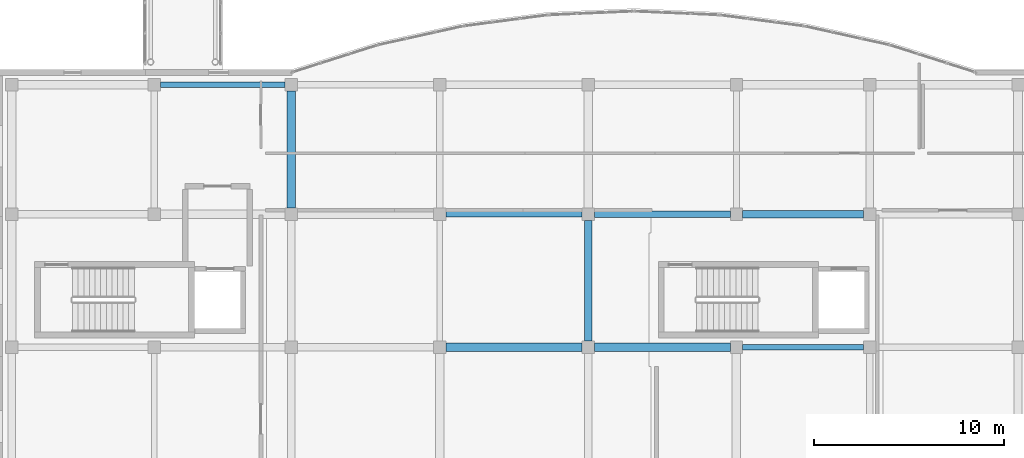
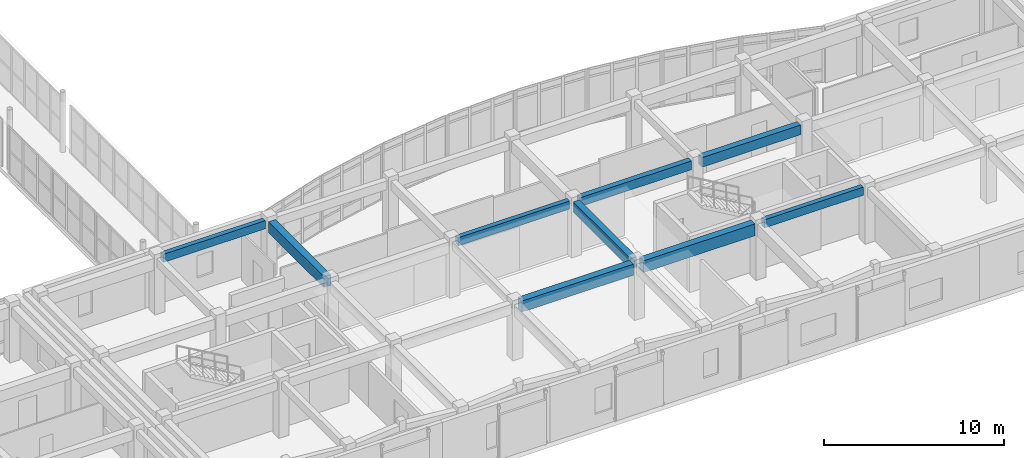
# One storey, part 51 of 146: 9 beams.
"""IFC4 building model written with IfcOpenShell, lengths in metres."""

from ifc_helpers import new_model, si_unit, direction, frame, origin, origin_2d, place, context, subcontext, project, spatial, rectangle, extrude, material, material_profile, profile_set, type_object, element, save


model = new_model("IFC4")

# Units and contexts
model_context = context("Model", 3, precision=1e-05, world=origin(), true_north=direction((0.0, 1.0)))
body_context = subcontext(model_context, "Body", "Model", "MODEL_VIEW")
ifc_project = project(units=[si_unit("LENGTHUNIT", "METRE"), si_unit("AREAUNIT", "SQUARE_METRE"), si_unit("VOLUMEUNIT", "CUBIC_METRE"), si_unit("PLANEANGLEUNIT", "RADIAN"), si_unit("MASSUNIT", "GRAM", prefix="KILO")], contexts=[model_context])

# Site, building, storey
site_placement = place(None, origin())
site = spatial("IfcSite", under=ifc_project, at=site_placement, CompositionType="ELEMENT")
building_placement = place(site_placement, origin())
building = spatial("IfcBuilding", under=site, at=building_placement, Name="Valcora Specialist Clinic", CompositionType="ELEMENT")
storey_placement = place(building_placement, frame((0.0, 0.0, 9.52001953125)))
storey = spatial("IfcBuildingStorey", under=building, at=storey_placement, Name="L02", CompositionType="ELEMENT", Elevation=9.52001953125)

# Beams
ifc_material = material(Name="Concrete C40/50", Category="concrete")
ifc_material_profile_1 = material_profile(ifc_material, rectangle(XDim=0.300048828125, YDim=0.550048828125, at=origin_2d()), Name="RC-BM-300X550")
ifc_profile_set_1 = profile_set([ifc_material_profile_1], Name="Concrete C40/50")
beam_type_1 = type_object("IfcBeamType", Name="TY-BM-RC300X550", PredefinedType="BEAM", material=ifc_profile_set_1)
beam_1_placement = place(storey_placement, frame((92.72509765625, 8.199951171875, 3.5048828125), z_axis=(1.0, 0.0, 0.0), x_axis=(0.0, 1.0, 0.0)))
element("IfcBeam", 1, at=beam_1_placement, inside=storey, type_object=beam_type_1, Name="Beam BM-L02-1375", PredefinedType="BEAM", context=body_context, shape_type="SweptSolid", body=[
    extrude(rectangle(XDim=0.300048828125, YDim=0.550048828125, at=origin_2d()), origin(), (0.0, 0.0, 1.0), 6.349853515625),
])
beam_2_placement = place(storey_placement, frame((77.125, 15.199951171875, 3.5048828125), z_axis=(1.0, 0.0, 0.0), x_axis=(0.0, 1.0, 0.0)))
element("IfcBeam", 2, at=beam_2_placement, inside=storey, type_object=beam_type_1, Name="Beam BM-L02-1381", PredefinedType="BEAM", context=body_context, shape_type="SweptSolid", body=[
    extrude(rectangle(XDim=0.300048828125, YDim=0.550048828125, at=origin_2d()), origin(), (0.0, 0.0, 1.0), 7.14990234375),
])
beam_3_placement = place(storey_placement, frame((62.125, 22.0, 3.5048828125), z_axis=(1.0, 0.0, 0.0), x_axis=(0.0, 1.0, 0.0)))
element("IfcBeam", 3, at=beam_3_placement, inside=storey, type_object=beam_type_1, Name="Beam BM-L02-1387", PredefinedType="BEAM", context=body_context, shape_type="SweptSolid", body=[
    extrude(rectangle(XDim=0.300048828125, YDim=0.550048828125, at=origin_2d()), origin(), (0.0, 0.0, 1.0), 6.550048828125),
])
ifc_material_profile_2 = material_profile(ifc_material, rectangle(XDim=0.35009765625, YDim=0.60009765625, at=origin_2d()), Name="RC-BM-350X600")
ifc_profile_set_2 = profile_set([ifc_material_profile_2], Name="Concrete C40/50")
beam_type_2 = type_object("IfcBeamType", Name="TY-BM-RC350X600", PredefinedType="BEAM", material=ifc_profile_set_2)
beam_4_placement = place(storey_placement, frame((84.925048828125, 15.199951171875, 3.47998046875), z_axis=(1.0, 0.0, 0.0), x_axis=(0.0, 1.0, 0.0)))
element("IfcBeam", 4, at=beam_4_placement, inside=storey, type_object=beam_type_2, Name="Beam BM-L02-1382", PredefinedType="BEAM", context=body_context, shape_type="SweptSolid", body=[
    extrude(rectangle(XDim=0.35009765625, YDim=0.60009765625, at=origin_2d()), origin(), (0.0, 0.0, 1.0), 7.14990234375),
])
ifc_material_profile_3 = material_profile(ifc_material, rectangle(XDim=0.39990234375, YDim=0.64990234375, at=origin_2d()), Name="RC-BM-400X650")
ifc_profile_set_3 = profile_set([ifc_material_profile_3], Name="Concrete C40/50")
beam_type_3 = type_object("IfcBeamType", Name="TY-BM-RC400X650", PredefinedType="BEAM", material=ifc_profile_set_3)
beam_5_placement = place(storey_placement, frame((92.72509765625, 15.199951171875, 3.455078125), z_axis=(1.0, 0.0, 0.0), x_axis=(0.0, 1.0, 0.0)))
element("IfcBeam", 5, at=beam_5_placement, inside=storey, type_object=beam_type_3, Name="Beam BM-L02-1383", PredefinedType="BEAM", context=body_context, shape_type="SweptSolid", body=[
    extrude(rectangle(XDim=0.39990234375, YDim=0.64990234375, at=origin_2d()), origin(), (0.0, 0.0, 1.0), 6.349853515625),
])
ifc_material_profile_4 = material_profile(ifc_material, rectangle(XDim=0.39990234375, YDim=0.699951171875, at=origin_2d()), Name="RC-BM-400X700")
ifc_profile_set_4 = profile_set([ifc_material_profile_4], Name="Concrete C40/50")
beam_type_4 = type_object("IfcBeamType", Name="TY-BM-RC400X700", PredefinedType="BEAM", material=ifc_profile_set_4)
beam_6_placement = place(storey_placement, frame((84.60009765625, 8.52490234375, 3.429931640625), z_axis=(0.0, 1.0, 0.0), x_axis=(-1.0, 0.0, 0.0)))
element("IfcBeam", 6, at=beam_6_placement, inside=storey, type_object=beam_type_4, Name="Beam BM-L02-1406", PredefinedType="BEAM", context=body_context, shape_type="SweptSolid", body=[
    extrude(rectangle(XDim=0.39990234375, YDim=0.699951171875, at=origin_2d()), origin(), (0.0, 0.0, 1.0), 6.35009765625),
])
ifc_material_profile_5 = material_profile(ifc_material, rectangle(XDim=0.449951171875, YDim=0.75, at=origin_2d()), Name="RC-BM-450X750")
ifc_profile_set_5 = profile_set([ifc_material_profile_5], Name="Concrete C40/50")
beam_type_5 = type_object("IfcBeamType", Name="TY-BM-RC450X750", PredefinedType="BEAM", material=ifc_profile_set_5)
beam_7_placement = place(storey_placement, frame((77.125, 8.199951171875, 3.405029296875), z_axis=(1.0, 0.0, 0.0), x_axis=(0.0, 1.0, 0.0)))
element("IfcBeam", 7, at=beam_7_placement, inside=storey, type_object=beam_type_5, Name="Beam BM-L02-1373", PredefinedType="BEAM", context=body_context, shape_type="SweptSolid", body=[
    extrude(rectangle(XDim=0.449951171875, YDim=0.75, at=origin_2d()), origin(), (0.0, 0.0, 1.0), 7.14990234375),
])
beam_8_placement = place(storey_placement, frame((69.0, 15.52490234375, 3.405029296875), z_axis=(0.0, 1.0, 0.0), x_axis=(-1.0, 0.0, 0.0)))
element("IfcBeam", 8, at=beam_8_placement, inside=storey, type_object=beam_type_5, Name="Beam BM-L02-1401", PredefinedType="BEAM", context=body_context, shape_type="SweptSolid", body=[
    extrude(rectangle(XDim=0.449951171875, YDim=0.75, at=origin_2d()), origin(), (0.0, 0.0, 1.0), 6.150146484375),
])
ifc_material_profile_6 = material_profile(ifc_material, rectangle(XDim=0.449951171875, YDim=0.800048828125, at=origin_2d()), Name="RC-BM-450X800")
ifc_profile_set_6 = profile_set([ifc_material_profile_6], Name="Concrete C40/50")
beam_type_6 = type_object("IfcBeamType", Name="TY-BM-RC450X800", PredefinedType="BEAM", material=ifc_profile_set_6)
beam_9_placement = place(storey_placement, frame((84.925048828125, 8.199951171875, 3.3798828125), z_axis=(1.0, 0.0, 0.0), x_axis=(0.0, 1.0, 0.0)))
element("IfcBeam", 9, at=beam_9_placement, inside=storey, type_object=beam_type_6, Name="Beam BM-L02-1374", PredefinedType="BEAM", context=body_context, shape_type="SweptSolid", body=[
    extrude(rectangle(XDim=0.449951171875, YDim=0.800048828125, at=origin_2d()), origin(), (0.0, 0.0, 1.0), 7.14990234375),
])

save(model, "model.ifc")
